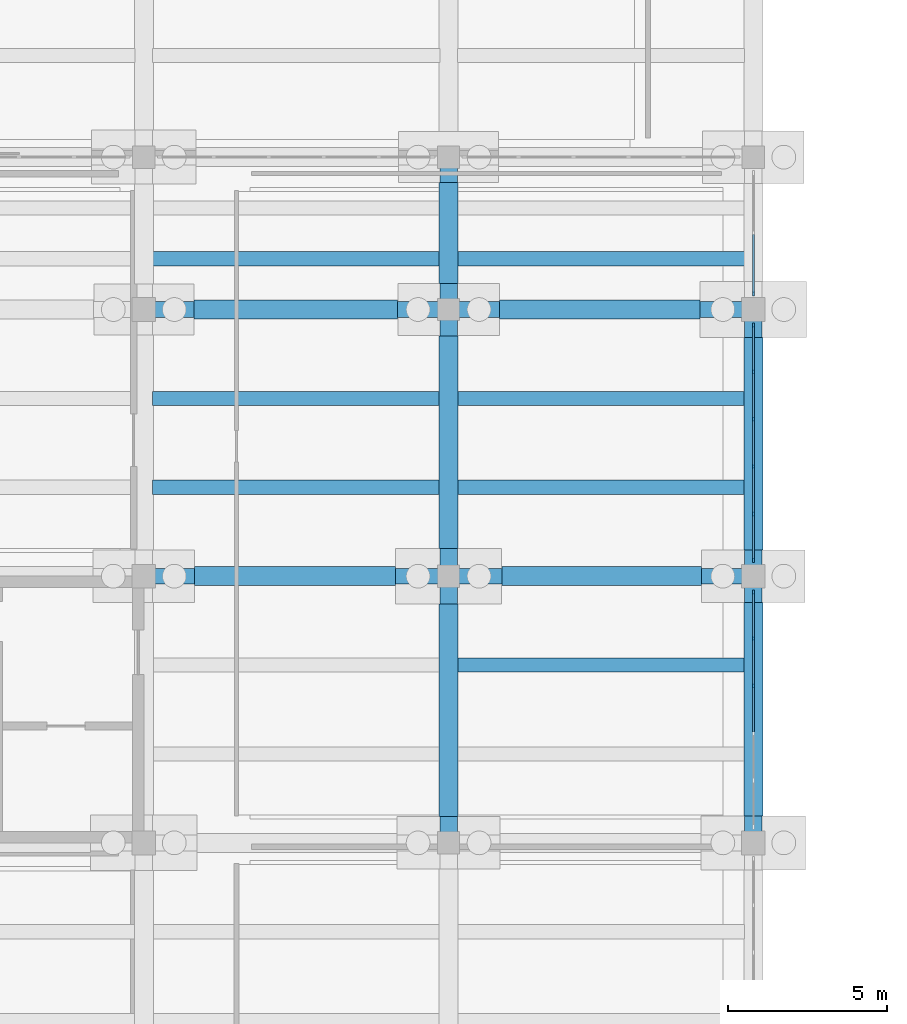
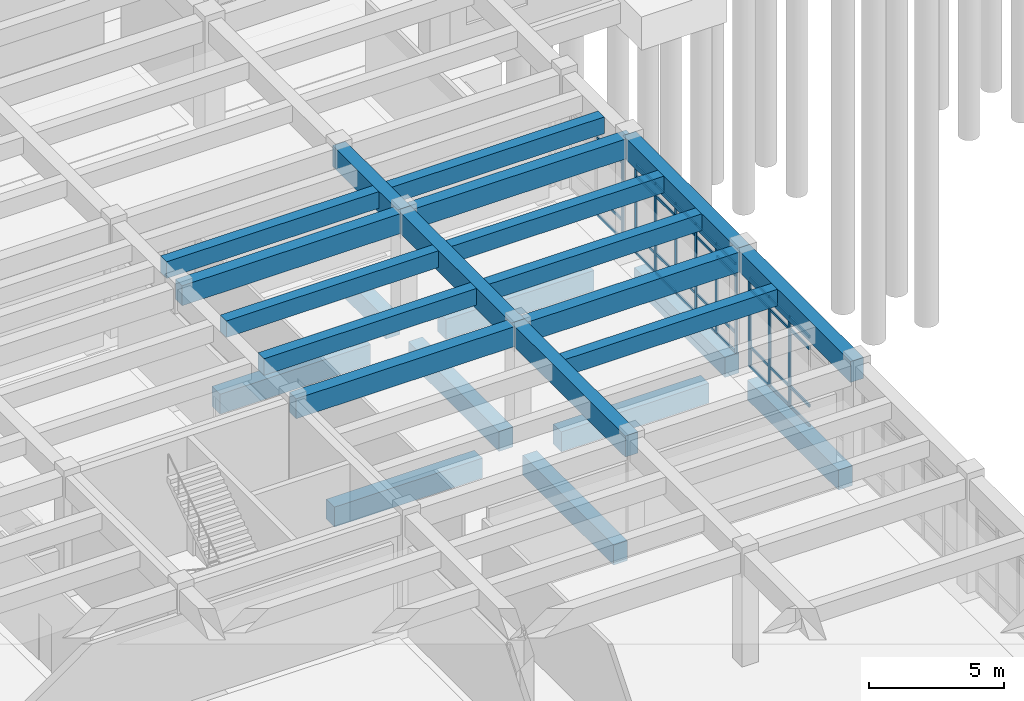
# One storey, part 31 of 102: 45 members, 25 beams, 3 elements without a shape of their own.
"""IFC4 building model written with IfcOpenShell, lengths in metres."""

from ifc_helpers import new_model, si_unit, direction, frame, origin, origin_2d, place, context, subcontext, project, spatial, rectangle, extrude, material, layer, layer_set, material_profile, profile_set, type_object, element, aggregate, save


model = new_model("IFC4")

# Units and contexts
model_context = context("Model", 3, precision=1e-05, world=origin(), true_north=direction((0.0, 1.0)))
body_context = subcontext(model_context, "Body", "Model", "MODEL_VIEW")
ifc_project = project(units=[si_unit("LENGTHUNIT", "METRE"), si_unit("AREAUNIT", "SQUARE_METRE"), si_unit("VOLUMEUNIT", "CUBIC_METRE"), si_unit("PLANEANGLEUNIT", "RADIAN"), si_unit("MASSUNIT", "GRAM", prefix="KILO")], contexts=[model_context])

# Site, building, storey
site_placement = place(None, origin())
site = spatial("IfcSite", under=ifc_project, at=site_placement, CompositionType="ELEMENT")
building_placement = place(site_placement, origin())
building = spatial("IfcBuilding", under=site, at=building_placement, Name="Kolvemor Railside Polytechnic", CompositionType="ELEMENT")
storey_placement = place(building_placement, origin())
storey = spatial("IfcBuildingStorey", under=building, at=storey_placement, Name="L00", CompositionType="ELEMENT", Elevation=0.0)

# Beams
ifc_material_1 = material(Name="Concrete C40/50", Category="concrete")
ifc_material_profile_1 = material_profile(ifc_material_1, rectangle(XDim=0.550048828125, YDim=0.949951171875, at=origin_2d()), Name="RC550x950")
ifc_profile_set_1 = profile_set([ifc_material_profile_1], Name="Concrete C40/50")
beam_type_1 = type_object("IfcBeamType", Name="BM-RC-GIRD", PredefinedType="BEAM", material=ifc_profile_set_1)
beam_1_placement = place(storey_placement, frame((38.39990234375, 60.0, 4.635009765625), z_axis=(0.0, 1.0, 0.0), x_axis=(-1.0, 0.0, 0.0)))
element("IfcBeam", 1, at=beam_1_placement, inside=storey, type_object=beam_type_1, Name="Primary Girder L01-GY 0093", PredefinedType="BEAM", context=body_context, shape_type="SweptSolid", body=[
    extrude(rectangle(XDim=0.550048828125, YDim=0.949951171875, at=origin_2d()), origin(), (0.0, 0.0, 1.0), 8.39990234375),
])
beam_2_placement = place(storey_placement, frame((38.39990234375, 68.39990234375, 4.635009765625), z_axis=(0.0, 1.0, 0.0), x_axis=(-1.0, 0.0, 0.0)))
element("IfcBeam", 2, at=beam_2_placement, inside=storey, type_object=beam_type_1, Name="Primary Girder L01-GY 0094", PredefinedType="BEAM", context=body_context, shape_type="SweptSolid", body=[
    extrude(rectangle(XDim=0.550048828125, YDim=0.949951171875, at=origin_2d()), origin(), (0.0, 0.0, 1.0), 8.400146484375),
])
beam_3_placement = place(storey_placement, frame((38.39990234375, 76.800048828125, 4.635009765625), z_axis=(0.0, 1.0, 0.0), x_axis=(-1.0, 0.0, 0.0)))
element("IfcBeam", 3, at=beam_3_placement, inside=storey, type_object=beam_type_1, Name="Primary Girder L01-GY 0095", PredefinedType="BEAM", context=body_context, shape_type="SweptSolid", body=[
    extrude(rectangle(XDim=0.550048828125, YDim=0.949951171875, at=origin_2d()), origin(), (0.0, 0.0, 1.0), 4.800048828125),
])
beam_4_placement = place(storey_placement, frame((48.0, 60.0, 4.635009765625), z_axis=(0.0, 1.0, 0.0), x_axis=(-1.0, 0.0, 0.0)))
element("IfcBeam", 4, at=beam_4_placement, inside=storey, type_object=beam_type_1, Name="Primary Girder L01-GY 0102", PredefinedType="BEAM", context=body_context, shape_type="SweptSolid", body=[
    extrude(rectangle(XDim=0.550048828125, YDim=0.949951171875, at=origin_2d()), origin(), (0.0, 0.0, 1.0), 8.39990234375),
])
beam_5_placement = place(storey_placement, frame((48.0, 68.39990234375, 4.635009765625), z_axis=(0.0, 1.0, 0.0), x_axis=(-1.0, 0.0, 0.0)))
element("IfcBeam", 5, at=beam_5_placement, inside=storey, type_object=beam_type_1, Name="Primary Girder L01-GY 0103", PredefinedType="BEAM", context=body_context, shape_type="SweptSolid", body=[
    extrude(rectangle(XDim=0.550048828125, YDim=0.949951171875, at=origin_2d()), origin(), (0.0, 0.0, 1.0), 8.400146484375),
])
ifc_material_2 = material(Name="Concrete C40/50", Category="concrete")
ifc_material_profile_2 = material_profile(ifc_material_2, rectangle(XDim=0.5, YDim=0.89990234375, at=origin_2d()), Name="RC500x900")
ifc_profile_set_2 = profile_set([ifc_material_profile_2], Name="Concrete C40/50")
beam_type_2 = type_object("IfcBeamType", Name="BM-RC-GIRD4", PredefinedType="BEAM", material=ifc_profile_set_2)
beam_6_placement = place(storey_placement, frame((28.800048828125, 68.39990234375, 4.659912109375), z_axis=(1.0, 0.0, 0.0), x_axis=(0.0, 1.0, 0.0)))
element("IfcBeam", 6, at=beam_6_placement, inside=storey, type_object=beam_type_2, Name="Primary Girder L01-GX 0039", PredefinedType="BEAM", context=body_context, shape_type="SweptSolid", body=[
    extrude(rectangle(XDim=0.5, YDim=0.89990234375, at=origin_2d()), origin(), (0.0, 0.0, 1.0), 9.599853515625),
])
beam_7_placement = place(storey_placement, frame((38.39990234375, 68.39990234375, 4.659912109375), z_axis=(1.0, 0.0, 0.0), x_axis=(0.0, 1.0, 0.0)))
element("IfcBeam", 7, at=beam_7_placement, inside=storey, type_object=beam_type_2, Name="Primary Girder L01-GX 0040", PredefinedType="BEAM", context=body_context, shape_type="SweptSolid", body=[
    extrude(rectangle(XDim=0.5, YDim=0.89990234375, at=origin_2d()), origin(), (0.0, 0.0, 1.0), 9.60009765625),
])
beam_8_placement = place(storey_placement, frame((28.800048828125, 76.800048828125, 4.659912109375), z_axis=(1.0, 0.0, 0.0), x_axis=(0.0, 1.0, 0.0)))
element("IfcBeam", 8, at=beam_8_placement, inside=storey, type_object=beam_type_2, Name="Primary Girder L01-GX 0044", PredefinedType="BEAM", context=body_context, shape_type="SweptSolid", body=[
    extrude(rectangle(XDim=0.5, YDim=0.89990234375, at=origin_2d()), origin(), (0.0, 0.0, 1.0), 9.599853515625),
])
beam_9_placement = place(storey_placement, frame((38.39990234375, 76.800048828125, 4.659912109375), z_axis=(1.0, 0.0, 0.0), x_axis=(0.0, 1.0, 0.0)))
element("IfcBeam", 9, at=beam_9_placement, inside=storey, type_object=beam_type_2, Name="Primary Girder L01-GX 0045", PredefinedType="BEAM", context=body_context, shape_type="SweptSolid", body=[
    extrude(rectangle(XDim=0.5, YDim=0.89990234375, at=origin_2d()), origin(), (0.0, 0.0, 1.0), 9.60009765625),
])
ifc_material_3 = material(Name="Concrete C40/50", Category="concrete")
ifc_material_profile_3 = material_profile(ifc_material_3, rectangle(XDim=0.449951171875, YDim=0.75, at=origin_2d()), Name="RC450x750")
ifc_profile_set_3 = profile_set([ifc_material_profile_3], Name="Concrete C40/50")
beam_type_3 = type_object("IfcBeamType", Name="BM-RC-SEC", PredefinedType="JOIST", material=ifc_profile_set_3)
for number, where, z_axis, x_axis, name in (
    (10, (29.074951171875, 71.199951171875, 4.735107421875), (1.0, 0.0, 0.0), (0.0, 1.0, 0.0), "Floor Joist L01-J0169"),
    (11, (29.074951171875, 74.0, 4.735107421875), (1.0, 0.0, 0.0), (0.0, 1.0, 0.0), "Floor Joist L01-J0170"),
    (12, (29.074951171875, 78.39990234375, 4.735107421875), (1.0, 0.0, 0.0), (0.0, 1.0, 0.0), "Floor Joist L01-J0171"),
    (13, (38.675048828125, 65.60009765625, 4.735107421875), (1.0, 0.0, 0.0), (0.0, 1.0, 0.0), "Floor Joist L01-J0186"),
    (14, (38.675048828125, 71.199951171875, 4.735107421875), (1.0, 0.0, 0.0), (0.0, 1.0, 0.0), "Floor Joist L01-J0187"),
    (15, (38.675048828125, 74.0, 4.735107421875), (1.0, 0.0, 0.0), (0.0, 1.0, 0.0), "Floor Joist L01-J0188"),
    (16, (38.675048828125, 78.39990234375, 4.735107421875), (1.0, 0.0, 0.0), (0.0, 1.0, 0.0), "Floor Joist L01-J0189"),
):
    element("IfcBeam", number, at=place(storey_placement, frame(where, z_axis=z_axis, x_axis=x_axis)), inside=storey, type_object=beam_type_3, Name=name, PredefinedType="JOIST", context=body_context, shape_type="SweptSolid", body=[
        extrude(rectangle(XDim=0.449951171875, YDim=0.75, at=origin_2d()), origin(), (0.0, 0.0, 1.0), 9.050048828125),
    ])
ifc_material_4 = material(Name="Concrete C40/50", Category="concrete")
ifc_material_profile_4 = material_profile(ifc_material_4, rectangle(XDim=0.60009765625, YDim=0.89990234375, at=origin_2d()), Name="RC600x900")
ifc_profile_set_4 = profile_set([ifc_material_profile_4], Name="Concrete C40/50")
beam_type_4 = type_object("IfcBeamType", Name="BM-RC-TIE", PredefinedType="BEAM", material=ifc_profile_set_4)
beam_10_placement = place(storey_placement, frame((30.402099609375, 68.39990234375, -0.75), z_axis=(1.0, 0.0, 0.0), x_axis=(0.0, 1.0, 0.0)))
element("IfcBeam", 17, at=beam_10_placement, inside=storey, type_object=beam_type_4, Name="Ground Tie Beam GTB-X158", PredefinedType="BEAM", context=body_context, shape_type="SweptSolid", body=[
    extrude(rectangle(XDim=0.60009765625, YDim=0.89990234375, at=origin_2d()), origin(), (0.0, 0.0, 1.0), 6.32080078125),
])
beam_11_placement = place(storey_placement, frame((40.076904296875, 68.39990234375, -0.75), z_axis=(1.0, 0.0, 0.0), x_axis=(0.0, 1.0, 0.0)))
element("IfcBeam", 18, at=beam_11_placement, inside=storey, type_object=beam_type_4, Name="Ground Tie Beam GTB-X159", PredefinedType="BEAM", context=body_context, shape_type="SweptSolid", body=[
    extrude(rectangle(XDim=0.60009765625, YDim=0.89990234375, at=origin_2d()), origin(), (0.0, 0.0, 1.0), 6.296142578125),
])
beam_12_placement = place(storey_placement, frame((30.376953125, 76.800048828125, -0.75), z_axis=(1.0, 0.0, 0.0), x_axis=(0.0, 1.0, 0.0)))
element("IfcBeam", 19, at=beam_12_placement, inside=storey, type_object=beam_type_4, Name="Ground Tie Beam GTB-X168", PredefinedType="BEAM", context=body_context, shape_type="SweptSolid", body=[
    extrude(rectangle(XDim=0.60009765625, YDim=0.89990234375, at=origin_2d()), origin(), (0.0, 0.0, 1.0), 6.421142578125),
])
beam_13_placement = place(storey_placement, frame((40.001953125, 76.800048828125, -0.75), z_axis=(1.0, 0.0, 0.0), x_axis=(0.0, 1.0, 0.0)))
element("IfcBeam", 20, at=beam_13_placement, inside=storey, type_object=beam_type_4, Name="Ground Tie Beam GTB-X169", PredefinedType="BEAM", context=body_context, shape_type="SweptSolid", body=[
    extrude(rectangle(XDim=0.60009765625, YDim=0.89990234375, at=origin_2d()), origin(), (0.0, 0.0, 1.0), 6.321044921875),
])
beam_14_placement = place(storey_placement, frame((38.39990234375, 60.826904296875, -0.75), z_axis=(0.0, 1.0, 0.0), x_axis=(-1.0, 0.0, 0.0)))
element("IfcBeam", 21, at=beam_14_placement, inside=storey, type_object=beam_type_4, Name="Ground Tie Beam GTB-Y281", PredefinedType="BEAM", context=body_context, shape_type="SweptSolid", body=[
    extrude(rectangle(XDim=0.60009765625, YDim=0.89990234375, at=origin_2d()), origin(), (0.0, 0.0, 1.0), 6.696044921875),
])
beam_15_placement = place(storey_placement, frame((38.39990234375, 69.277099609375, -0.75), z_axis=(0.0, 1.0, 0.0), x_axis=(-1.0, 0.0, 0.0)))
element("IfcBeam", 22, at=beam_15_placement, inside=storey, type_object=beam_type_4, Name="Ground Tie Beam GTB-Y282", PredefinedType="BEAM", context=body_context, shape_type="SweptSolid", body=[
    extrude(rectangle(XDim=0.60009765625, YDim=0.89990234375, at=origin_2d()), origin(), (0.0, 0.0, 1.0), 6.69580078125),
])
beam_16_placement = place(storey_placement, frame((38.39990234375, 77.626953125, -0.75), z_axis=(0.0, 1.0, 0.0), x_axis=(-1.0, 0.0, 0.0)))
element("IfcBeam", 23, at=beam_16_placement, inside=storey, type_object=beam_type_4, Name="Ground Tie Beam GTB-Y283", PredefinedType="BEAM", context=body_context, shape_type="SweptSolid", body=[
    extrude(rectangle(XDim=0.60009765625, YDim=0.89990234375, at=origin_2d()), origin(), (0.0, 0.0, 1.0), 3.171142578125),
])
beam_17_placement = place(storey_placement, frame((48.0, 60.85205078125, -0.75), z_axis=(0.0, 1.0, 0.0), x_axis=(-1.0, 0.0, 0.0)))
element("IfcBeam", 24, at=beam_17_placement, inside=storey, type_object=beam_type_4, Name="Ground Tie Beam GTB-Y294", PredefinedType="BEAM", context=body_context, shape_type="SweptSolid", body=[
    extrude(rectangle(XDim=0.60009765625, YDim=0.89990234375, at=origin_2d()), origin(), (0.0, 0.0, 1.0), 6.720947265625),
])
beam_18_placement = place(storey_placement, frame((48.0, 69.22705078125, -0.75), z_axis=(0.0, 1.0, 0.0), x_axis=(-1.0, 0.0, 0.0)))
element("IfcBeam", 25, at=beam_18_placement, inside=storey, type_object=beam_type_4, Name="Ground Tie Beam GTB-Y295", PredefinedType="BEAM", context=body_context, shape_type="SweptSolid", body=[
    extrude(rectangle(XDim=0.60009765625, YDim=0.89990234375, at=origin_2d()), origin(), (0.0, 0.0, 1.0), 6.696044921875),
])

# Curtain wall, members
ifc_material_5 = material(Name="Anodised marine aluminium and laminated low-E glass", Category="aluminium")
ifc_layer = layer(ifc_material_5, 0.179931640625, Name="CW-UNIT-STD")
ifc_layer_set = layer_set([ifc_layer], Name="Anodised marine aluminium and laminated low-E glass")
curtain_wall_type = type_object("IfcCurtainWallType", Name="CW-UNIT-STD", PredefinedType="USERDEFINED", material=ifc_layer_set)
curtain_wall_1_placement = place(storey_placement, origin())
curtain_wall_1 = element("IfcCurtainWall", 26, at=curtain_wall_1_placement, inside=storey, type_object=curtain_wall_type, Name="Curtain Wall L00-075", ObjectType="UNITISED CURTAIN WALL", PredefinedType="USERDEFINED")
ifc_material_6 = material(Name="Anodised marine aluminium 6063-T6", Category="aluminium")
ifc_material_profile_5 = material_profile(ifc_material_6, rectangle(XDim=0.06494140625, YDim=0.14990234375, at=origin_2d()), Name="CW-MUL-65x150")
ifc_profile_set_5 = profile_set([ifc_material_profile_5], Name="Anodised marine aluminium 6063-T6")
member_type_1 = type_object("IfcMemberType", Name="CWM-65x150", PredefinedType="MULLION", material=ifc_profile_set_5)
member_1_placement = place(storey_placement, frame((48.0, 64.946044921875, 0.0), z_axis=(0.0, 0.0, 1.0), x_axis=(-1.0, 0.0, 0.0)))
member_1 = element("IfcMember", 27, at=member_1_placement, type_object=member_type_1, Name="CW-STD mullion 4", PredefinedType="MULLION", context=body_context, shape_type="SweptSolid", body=[
    extrude(rectangle(XDim=0.06494140625, YDim=0.14990234375, at=origin_2d()), origin(), (0.0, 0.0, 1.0), 4.0400390625),
])
member_2_placement = place(storey_placement, frame((48.0, 66.43798828125, 0.0), z_axis=(0.0, 0.0, 1.0), x_axis=(-1.0, 0.0, 0.0)))
member_2 = element("IfcMember", 28, at=member_2_placement, type_object=member_type_1, Name="CW-STD mullion 5", PredefinedType="MULLION", context=body_context, shape_type="SweptSolid", body=[
    extrude(rectangle(XDim=0.06494140625, YDim=0.14990234375, at=origin_2d()), origin(), (0.0, 0.0, 1.0), 4.0400390625),
])
member_3_placement = place(storey_placement, frame((48.0, 67.8974609375, 0.0), z_axis=(0.0, 0.0, 1.0), x_axis=(-1.0, 0.0, 0.0)))
member_3 = element("IfcMember", 29, at=member_3_placement, type_object=member_type_1, Name="CW-STD mullion 6", PredefinedType="MULLION", context=body_context, shape_type="SweptSolid", body=[
    extrude(rectangle(XDim=0.06494140625, YDim=0.14990234375, at=origin_2d()), origin(), (0.0, 0.0, 1.0), 4.0400390625),
])

curtain_wall_2_placement = place(storey_placement, origin())
curtain_wall_2 = element("IfcCurtainWall", 30, at=curtain_wall_2_placement, inside=storey, type_object=curtain_wall_type, Name="Curtain Wall L00-082", ObjectType="UNITISED CURTAIN WALL", PredefinedType="USERDEFINED")
member_4_placement = place(storey_placement, frame((48.0, 68.902587890625, 0.0), z_axis=(0.0, 0.0, 1.0), x_axis=(-1.0, 0.0, 0.0)))
member_4 = element("IfcMember", 31, at=member_4_placement, type_object=member_type_1, Name="CW-STD mullion 1", PredefinedType="MULLION", context=body_context, shape_type="SweptSolid", body=[
    extrude(rectangle(XDim=0.06494140625, YDim=0.14990234375, at=origin_2d()), origin(), (0.0, 0.0, 1.0), 4.0400390625),
])
member_5_placement = place(storey_placement, frame((48.0, 70.362060546875, 0.0), z_axis=(0.0, 0.0, 1.0), x_axis=(-1.0, 0.0, 0.0)))
member_5 = element("IfcMember", 32, at=member_5_placement, type_object=member_type_1, Name="CW-STD mullion 2", PredefinedType="MULLION", context=body_context, shape_type="SweptSolid", body=[
    extrude(rectangle(XDim=0.06494140625, YDim=0.14990234375, at=origin_2d()), origin(), (0.0, 0.0, 1.0), 4.0400390625),
])
member_6_placement = place(storey_placement, frame((48.0, 71.85400390625, 0.0), z_axis=(0.0, 0.0, 1.0), x_axis=(-1.0, 0.0, 0.0)))
member_6 = element("IfcMember", 33, at=member_6_placement, type_object=member_type_1, Name="CW-STD mullion 3", PredefinedType="MULLION", context=body_context, shape_type="SweptSolid", body=[
    extrude(rectangle(XDim=0.06494140625, YDim=0.14990234375, at=origin_2d()), origin(), (0.0, 0.0, 1.0), 4.0400390625),
])
member_7_placement = place(storey_placement, frame((48.0, 73.345947265625, 0.0), z_axis=(0.0, 0.0, 1.0), x_axis=(-1.0, 0.0, 0.0)))
member_7 = element("IfcMember", 34, at=member_7_placement, type_object=member_type_1, Name="CW-STD mullion 4", PredefinedType="MULLION", context=body_context, shape_type="SweptSolid", body=[
    extrude(rectangle(XDim=0.06494140625, YDim=0.14990234375, at=origin_2d()), origin(), (0.0, 0.0, 1.0), 4.0400390625),
])
member_8_placement = place(storey_placement, frame((48.0, 74.837890625, 0.0), z_axis=(0.0, 0.0, 1.0), x_axis=(-1.0, 0.0, 0.0)))
member_8 = element("IfcMember", 35, at=member_8_placement, type_object=member_type_1, Name="CW-STD mullion 5", PredefinedType="MULLION", context=body_context, shape_type="SweptSolid", body=[
    extrude(rectangle(XDim=0.06494140625, YDim=0.14990234375, at=origin_2d()), origin(), (0.0, 0.0, 1.0), 4.0400390625),
])
member_9_placement = place(storey_placement, frame((48.0, 76.297607421875, 0.0), z_axis=(0.0, 0.0, 1.0), x_axis=(-1.0, 0.0, 0.0)))
member_9 = element("IfcMember", 36, at=member_9_placement, type_object=member_type_1, Name="CW-STD mullion 6", PredefinedType="MULLION", context=body_context, shape_type="SweptSolid", body=[
    extrude(rectangle(XDim=0.06494140625, YDim=0.14990234375, at=origin_2d()), origin(), (0.0, 0.0, 1.0), 4.0400390625),
])

# Curtain wall, member
curtain_wall_3_placement = place(storey_placement, origin())
curtain_wall_3 = element("IfcCurtainWall", 37, at=curtain_wall_3_placement, inside=storey, type_object=curtain_wall_type, Name="Curtain Wall L00-089", ObjectType="UNITISED CURTAIN WALL", PredefinedType="USERDEFINED")
member_10_placement = place(storey_placement, frame((48.0, 77.302490234375, 0.0), z_axis=(0.0, 0.0, 1.0), x_axis=(-1.0, 0.0, 0.0)))
member_10 = element("IfcMember", 38, at=member_10_placement, type_object=member_type_1, Name="CW-STD mullion 1", PredefinedType="MULLION", context=body_context, shape_type="SweptSolid", body=[
    extrude(rectangle(XDim=0.06494140625, YDim=0.14990234375, at=origin_2d()), origin(), (0.0, 0.0, 1.0), 4.0400390625),
])

# Member
ifc_material_7 = material(Name="Anodised marine aluminium 6063-T6", Category="aluminium")
ifc_material_profile_6 = material_profile(ifc_material_7, rectangle(XDim=0.06494140625, YDim=0.1201171875, at=origin_2d()), Name="CW-TRN-65x120")
ifc_profile_set_6 = profile_set([ifc_material_profile_6], Name="Anodised marine aluminium 6063-T6")
member_type_2 = type_object("IfcMemberType", Name="CWT-65x120", PredefinedType="USERDEFINED", material=ifc_profile_set_6)
member_11_placement = place(storey_placement, frame((48.0, 63.486572265625, 0.032470703125), z_axis=(0.0, 1.0, 0.0), x_axis=(-1.0, 0.0, 0.0)))
member_11 = element("IfcMember", 39, at=member_11_placement, type_object=member_type_2, Name="CW-STD transom 3.1", ObjectType="TRANSOM", PredefinedType="USERDEFINED", context=body_context, shape_type="SweptSolid", body=[
    extrude(rectangle(XDim=0.06494140625, YDim=0.1201171875, at=origin_2d()), origin(), (0.0, 0.0, 1.0), 1.427001953125),
])

member_12_placement = place(storey_placement, frame((48.0, 63.486572265625, 0.89990234375), z_axis=(0.0, 1.0, 0.0), x_axis=(-1.0, 0.0, 0.0)))
member_12 = element("IfcMember", 40, at=member_12_placement, type_object=member_type_2, Name="CW-STD transom 3.2", ObjectType="TRANSOM", PredefinedType="USERDEFINED", context=body_context, shape_type="SweptSolid", body=[
    extrude(rectangle(XDim=0.06494140625, YDim=0.1201171875, at=origin_2d()), origin(), (0.0, 0.0, 1.0), 1.427001953125),
])

member_13_placement = place(storey_placement, frame((48.0, 63.486572265625, 3.489990234375), z_axis=(0.0, 1.0, 0.0), x_axis=(-1.0, 0.0, 0.0)))
member_13 = element("IfcMember", 41, at=member_13_placement, type_object=member_type_2, Name="CW-STD transom 3.3", ObjectType="TRANSOM", PredefinedType="USERDEFINED", context=body_context, shape_type="SweptSolid", body=[
    extrude(rectangle(XDim=0.06494140625, YDim=0.1201171875, at=origin_2d()), origin(), (0.0, 0.0, 1.0), 1.427001953125),
])

member_14_placement = place(storey_placement, frame((48.0, 63.486572265625, 4.007568359375), z_axis=(0.0, 1.0, 0.0), x_axis=(-1.0, 0.0, 0.0)))
member_14 = element("IfcMember", 42, at=member_14_placement, type_object=member_type_2, Name="CW-STD transom 3.4", ObjectType="TRANSOM", PredefinedType="USERDEFINED", context=body_context, shape_type="SweptSolid", body=[
    extrude(rectangle(XDim=0.06494140625, YDim=0.1201171875, at=origin_2d()), origin(), (0.0, 0.0, 1.0), 1.427001953125),
])

member_15_placement = place(storey_placement, frame((48.0, 64.978515625, 0.032470703125), z_axis=(0.0, 1.0, 0.0), x_axis=(-1.0, 0.0, 0.0)))
member_15 = element("IfcMember", 43, at=member_15_placement, type_object=member_type_2, Name="CW-STD transom 4.1", ObjectType="TRANSOM", PredefinedType="USERDEFINED", context=body_context, shape_type="SweptSolid", body=[
    extrude(rectangle(XDim=0.06494140625, YDim=0.1201171875, at=origin_2d()), origin(), (0.0, 0.0, 1.0), 1.427001953125),
])

member_16_placement = place(storey_placement, frame((48.0, 64.978515625, 0.89990234375), z_axis=(0.0, 1.0, 0.0), x_axis=(-1.0, 0.0, 0.0)))
member_16 = element("IfcMember", 44, at=member_16_placement, type_object=member_type_2, Name="CW-STD transom 4.2", ObjectType="TRANSOM", PredefinedType="USERDEFINED", context=body_context, shape_type="SweptSolid", body=[
    extrude(rectangle(XDim=0.06494140625, YDim=0.1201171875, at=origin_2d()), origin(), (0.0, 0.0, 1.0), 1.427001953125),
])

member_17_placement = place(storey_placement, frame((48.0, 64.978515625, 3.489990234375), z_axis=(0.0, 1.0, 0.0), x_axis=(-1.0, 0.0, 0.0)))
member_17 = element("IfcMember", 45, at=member_17_placement, type_object=member_type_2, Name="CW-STD transom 4.3", ObjectType="TRANSOM", PredefinedType="USERDEFINED", context=body_context, shape_type="SweptSolid", body=[
    extrude(rectangle(XDim=0.06494140625, YDim=0.1201171875, at=origin_2d()), origin(), (0.0, 0.0, 1.0), 1.427001953125),
])

member_18_placement = place(storey_placement, frame((48.0, 64.978515625, 4.007568359375), z_axis=(0.0, 1.0, 0.0), x_axis=(-1.0, 0.0, 0.0)))
member_18 = element("IfcMember", 46, at=member_18_placement, type_object=member_type_2, Name="CW-STD transom 4.4", ObjectType="TRANSOM", PredefinedType="USERDEFINED", context=body_context, shape_type="SweptSolid", body=[
    extrude(rectangle(XDim=0.06494140625, YDim=0.1201171875, at=origin_2d()), origin(), (0.0, 0.0, 1.0), 1.427001953125),
])

member_19_placement = place(storey_placement, frame((48.0, 66.470458984375, 0.032470703125), z_axis=(0.0, 1.0, 0.0), x_axis=(-1.0, 0.0, 0.0)))
member_19 = element("IfcMember", 47, at=member_19_placement, type_object=member_type_2, Name="CW-STD transom 5.1", ObjectType="TRANSOM", PredefinedType="USERDEFINED", context=body_context, shape_type="SweptSolid", body=[
    extrude(rectangle(XDim=0.06494140625, YDim=0.1201171875, at=origin_2d()), origin(), (0.0, 0.0, 1.0), 1.39453125),
])

member_20_placement = place(storey_placement, frame((48.0, 66.470458984375, 0.89990234375), z_axis=(0.0, 1.0, 0.0), x_axis=(-1.0, 0.0, 0.0)))
member_20 = element("IfcMember", 48, at=member_20_placement, type_object=member_type_2, Name="CW-STD transom 5.2", ObjectType="TRANSOM", PredefinedType="USERDEFINED", context=body_context, shape_type="SweptSolid", body=[
    extrude(rectangle(XDim=0.06494140625, YDim=0.1201171875, at=origin_2d()), origin(), (0.0, 0.0, 1.0), 1.39453125),
])

member_21_placement = place(storey_placement, frame((48.0, 66.470458984375, 3.489990234375), z_axis=(0.0, 1.0, 0.0), x_axis=(-1.0, 0.0, 0.0)))
member_21 = element("IfcMember", 49, at=member_21_placement, type_object=member_type_2, Name="CW-STD transom 5.3", ObjectType="TRANSOM", PredefinedType="USERDEFINED", context=body_context, shape_type="SweptSolid", body=[
    extrude(rectangle(XDim=0.06494140625, YDim=0.1201171875, at=origin_2d()), origin(), (0.0, 0.0, 1.0), 1.39453125),
])

member_22_placement = place(storey_placement, frame((48.0, 66.470458984375, 4.007568359375), z_axis=(0.0, 1.0, 0.0), x_axis=(-1.0, 0.0, 0.0)))
member_22 = element("IfcMember", 50, at=member_22_placement, type_object=member_type_2, Name="CW-STD transom 5.4", ObjectType="TRANSOM", PredefinedType="USERDEFINED", context=body_context, shape_type="SweptSolid", body=[
    extrude(rectangle(XDim=0.06494140625, YDim=0.1201171875, at=origin_2d()), origin(), (0.0, 0.0, 1.0), 1.39453125),
])

aggregate(curtain_wall_1, [member_1, member_2, member_3, member_11, member_12, member_13, member_14, member_15, member_16, member_17, member_18, member_19, member_20, member_21, member_22])

member_23_placement = place(storey_placement, frame((48.0, 68.93505859375, 0.032470703125), z_axis=(0.0, 1.0, 0.0), x_axis=(-1.0, 0.0, 0.0)))
member_23 = element("IfcMember", 51, at=member_23_placement, type_object=member_type_2, Name="CW-STD transom 1.1", ObjectType="TRANSOM", PredefinedType="USERDEFINED", context=body_context, shape_type="SweptSolid", body=[
    extrude(rectangle(XDim=0.06494140625, YDim=0.1201171875, at=origin_2d()), origin(), (0.0, 0.0, 1.0), 1.39453125),
])

member_24_placement = place(storey_placement, frame((48.0, 68.93505859375, 0.89990234375), z_axis=(0.0, 1.0, 0.0), x_axis=(-1.0, 0.0, 0.0)))
member_24 = element("IfcMember", 52, at=member_24_placement, type_object=member_type_2, Name="CW-STD transom 1.2", ObjectType="TRANSOM", PredefinedType="USERDEFINED", context=body_context, shape_type="SweptSolid", body=[
    extrude(rectangle(XDim=0.06494140625, YDim=0.1201171875, at=origin_2d()), origin(), (0.0, 0.0, 1.0), 1.39453125),
])

member_25_placement = place(storey_placement, frame((48.0, 68.93505859375, 3.489990234375), z_axis=(0.0, 1.0, 0.0), x_axis=(-1.0, 0.0, 0.0)))
member_25 = element("IfcMember", 53, at=member_25_placement, type_object=member_type_2, Name="CW-STD transom 1.3", ObjectType="TRANSOM", PredefinedType="USERDEFINED", context=body_context, shape_type="SweptSolid", body=[
    extrude(rectangle(XDim=0.06494140625, YDim=0.1201171875, at=origin_2d()), origin(), (0.0, 0.0, 1.0), 1.39453125),
])

member_26_placement = place(storey_placement, frame((48.0, 68.93505859375, 4.007568359375), z_axis=(0.0, 1.0, 0.0), x_axis=(-1.0, 0.0, 0.0)))
member_26 = element("IfcMember", 54, at=member_26_placement, type_object=member_type_2, Name="CW-STD transom 1.4", ObjectType="TRANSOM", PredefinedType="USERDEFINED", context=body_context, shape_type="SweptSolid", body=[
    extrude(rectangle(XDim=0.06494140625, YDim=0.1201171875, at=origin_2d()), origin(), (0.0, 0.0, 1.0), 1.39453125),
])

member_27_placement = place(storey_placement, frame((48.0, 70.39453125, 0.032470703125), z_axis=(0.0, 1.0, 0.0), x_axis=(-1.0, 0.0, 0.0)))
member_27 = element("IfcMember", 55, at=member_27_placement, type_object=member_type_2, Name="CW-STD transom 2.1", ObjectType="TRANSOM", PredefinedType="USERDEFINED", context=body_context, shape_type="SweptSolid", body=[
    extrude(rectangle(XDim=0.06494140625, YDim=0.1201171875, at=origin_2d()), origin(), (0.0, 0.0, 1.0), 1.427001953125),
])

member_28_placement = place(storey_placement, frame((48.0, 70.39453125, 0.89990234375), z_axis=(0.0, 1.0, 0.0), x_axis=(-1.0, 0.0, 0.0)))
member_28 = element("IfcMember", 56, at=member_28_placement, type_object=member_type_2, Name="CW-STD transom 2.2", ObjectType="TRANSOM", PredefinedType="USERDEFINED", context=body_context, shape_type="SweptSolid", body=[
    extrude(rectangle(XDim=0.06494140625, YDim=0.1201171875, at=origin_2d()), origin(), (0.0, 0.0, 1.0), 1.427001953125),
])

member_29_placement = place(storey_placement, frame((48.0, 70.39453125, 3.489990234375), z_axis=(0.0, 1.0, 0.0), x_axis=(-1.0, 0.0, 0.0)))
member_29 = element("IfcMember", 57, at=member_29_placement, type_object=member_type_2, Name="CW-STD transom 2.3", ObjectType="TRANSOM", PredefinedType="USERDEFINED", context=body_context, shape_type="SweptSolid", body=[
    extrude(rectangle(XDim=0.06494140625, YDim=0.1201171875, at=origin_2d()), origin(), (0.0, 0.0, 1.0), 1.427001953125),
])

member_30_placement = place(storey_placement, frame((48.0, 70.39453125, 4.007568359375), z_axis=(0.0, 1.0, 0.0), x_axis=(-1.0, 0.0, 0.0)))
member_30 = element("IfcMember", 58, at=member_30_placement, type_object=member_type_2, Name="CW-STD transom 2.4", ObjectType="TRANSOM", PredefinedType="USERDEFINED", context=body_context, shape_type="SweptSolid", body=[
    extrude(rectangle(XDim=0.06494140625, YDim=0.1201171875, at=origin_2d()), origin(), (0.0, 0.0, 1.0), 1.427001953125),
])

member_31_placement = place(storey_placement, frame((48.0, 71.886474609375, 0.032470703125), z_axis=(0.0, 1.0, 0.0), x_axis=(-1.0, 0.0, 0.0)))
member_31 = element("IfcMember", 59, at=member_31_placement, type_object=member_type_2, Name="CW-STD transom 3.1", ObjectType="TRANSOM", PredefinedType="USERDEFINED", context=body_context, shape_type="SweptSolid", body=[
    extrude(rectangle(XDim=0.06494140625, YDim=0.1201171875, at=origin_2d()), origin(), (0.0, 0.0, 1.0), 1.427001953125),
])

member_32_placement = place(storey_placement, frame((48.0, 71.886474609375, 0.89990234375), z_axis=(0.0, 1.0, 0.0), x_axis=(-1.0, 0.0, 0.0)))
member_32 = element("IfcMember", 60, at=member_32_placement, type_object=member_type_2, Name="CW-STD transom 3.2", ObjectType="TRANSOM", PredefinedType="USERDEFINED", context=body_context, shape_type="SweptSolid", body=[
    extrude(rectangle(XDim=0.06494140625, YDim=0.1201171875, at=origin_2d()), origin(), (0.0, 0.0, 1.0), 1.427001953125),
])

member_33_placement = place(storey_placement, frame((48.0, 71.886474609375, 3.489990234375), z_axis=(0.0, 1.0, 0.0), x_axis=(-1.0, 0.0, 0.0)))
member_33 = element("IfcMember", 61, at=member_33_placement, type_object=member_type_2, Name="CW-STD transom 3.3", ObjectType="TRANSOM", PredefinedType="USERDEFINED", context=body_context, shape_type="SweptSolid", body=[
    extrude(rectangle(XDim=0.06494140625, YDim=0.1201171875, at=origin_2d()), origin(), (0.0, 0.0, 1.0), 1.427001953125),
])

member_34_placement = place(storey_placement, frame((48.0, 71.886474609375, 4.007568359375), z_axis=(0.0, 1.0, 0.0), x_axis=(-1.0, 0.0, 0.0)))
member_34 = element("IfcMember", 62, at=member_34_placement, type_object=member_type_2, Name="CW-STD transom 3.4", ObjectType="TRANSOM", PredefinedType="USERDEFINED", context=body_context, shape_type="SweptSolid", body=[
    extrude(rectangle(XDim=0.06494140625, YDim=0.1201171875, at=origin_2d()), origin(), (0.0, 0.0, 1.0), 1.427001953125),
])

member_35_placement = place(storey_placement, frame((48.0, 73.37841796875, 0.032470703125), z_axis=(0.0, 1.0, 0.0), x_axis=(-1.0, 0.0, 0.0)))
member_35 = element("IfcMember", 63, at=member_35_placement, type_object=member_type_2, Name="CW-STD transom 4.1", ObjectType="TRANSOM", PredefinedType="USERDEFINED", context=body_context, shape_type="SweptSolid", body=[
    extrude(rectangle(XDim=0.06494140625, YDim=0.1201171875, at=origin_2d()), origin(), (0.0, 0.0, 1.0), 1.427001953125),
])

member_36_placement = place(storey_placement, frame((48.0, 73.37841796875, 0.89990234375), z_axis=(0.0, 1.0, 0.0), x_axis=(-1.0, 0.0, 0.0)))
member_36 = element("IfcMember", 64, at=member_36_placement, type_object=member_type_2, Name="CW-STD transom 4.2", ObjectType="TRANSOM", PredefinedType="USERDEFINED", context=body_context, shape_type="SweptSolid", body=[
    extrude(rectangle(XDim=0.06494140625, YDim=0.1201171875, at=origin_2d()), origin(), (0.0, 0.0, 1.0), 1.427001953125),
])

member_37_placement = place(storey_placement, frame((48.0, 73.37841796875, 3.489990234375), z_axis=(0.0, 1.0, 0.0), x_axis=(-1.0, 0.0, 0.0)))
member_37 = element("IfcMember", 65, at=member_37_placement, type_object=member_type_2, Name="CW-STD transom 4.3", ObjectType="TRANSOM", PredefinedType="USERDEFINED", context=body_context, shape_type="SweptSolid", body=[
    extrude(rectangle(XDim=0.06494140625, YDim=0.1201171875, at=origin_2d()), origin(), (0.0, 0.0, 1.0), 1.427001953125),
])

member_38_placement = place(storey_placement, frame((48.0, 73.37841796875, 4.007568359375), z_axis=(0.0, 1.0, 0.0), x_axis=(-1.0, 0.0, 0.0)))
member_38 = element("IfcMember", 66, at=member_38_placement, type_object=member_type_2, Name="CW-STD transom 4.4", ObjectType="TRANSOM", PredefinedType="USERDEFINED", context=body_context, shape_type="SweptSolid", body=[
    extrude(rectangle(XDim=0.06494140625, YDim=0.1201171875, at=origin_2d()), origin(), (0.0, 0.0, 1.0), 1.427001953125),
])

member_39_placement = place(storey_placement, frame((48.0, 74.87060546875, 0.032470703125), z_axis=(0.0, 1.0, 0.0), x_axis=(-1.0, 0.0, 0.0)))
member_39 = element("IfcMember", 67, at=member_39_placement, type_object=member_type_2, Name="CW-STD transom 5.1", ObjectType="TRANSOM", PredefinedType="USERDEFINED", context=body_context, shape_type="SweptSolid", body=[
    extrude(rectangle(XDim=0.06494140625, YDim=0.1201171875, at=origin_2d()), origin(), (0.0, 0.0, 1.0), 1.394287109375),
])

member_40_placement = place(storey_placement, frame((48.0, 74.87060546875, 0.89990234375), z_axis=(0.0, 1.0, 0.0), x_axis=(-1.0, 0.0, 0.0)))
member_40 = element("IfcMember", 68, at=member_40_placement, type_object=member_type_2, Name="CW-STD transom 5.2", ObjectType="TRANSOM", PredefinedType="USERDEFINED", context=body_context, shape_type="SweptSolid", body=[
    extrude(rectangle(XDim=0.06494140625, YDim=0.1201171875, at=origin_2d()), origin(), (0.0, 0.0, 1.0), 1.394287109375),
])

member_41_placement = place(storey_placement, frame((48.0, 74.87060546875, 3.489990234375), z_axis=(0.0, 1.0, 0.0), x_axis=(-1.0, 0.0, 0.0)))
member_41 = element("IfcMember", 69, at=member_41_placement, type_object=member_type_2, Name="CW-STD transom 5.3", ObjectType="TRANSOM", PredefinedType="USERDEFINED", context=body_context, shape_type="SweptSolid", body=[
    extrude(rectangle(XDim=0.06494140625, YDim=0.1201171875, at=origin_2d()), origin(), (0.0, 0.0, 1.0), 1.394287109375),
])

member_42_placement = place(storey_placement, frame((48.0, 74.87060546875, 4.007568359375), z_axis=(0.0, 1.0, 0.0), x_axis=(-1.0, 0.0, 0.0)))
member_42 = element("IfcMember", 70, at=member_42_placement, type_object=member_type_2, Name="CW-STD transom 5.4", ObjectType="TRANSOM", PredefinedType="USERDEFINED", context=body_context, shape_type="SweptSolid", body=[
    extrude(rectangle(XDim=0.06494140625, YDim=0.1201171875, at=origin_2d()), origin(), (0.0, 0.0, 1.0), 1.394287109375),
])

aggregate(curtain_wall_2, [member_4, member_5, member_6, member_7, member_8, member_9, member_23, member_24, member_25, member_26, member_27, member_28, member_29, member_30, member_31, member_32, member_33, member_34, member_35, member_36, member_37, member_38, member_39, member_40, member_41, member_42])

member_43_placement = place(storey_placement, frame((48.0, 77.3349609375, 0.032470703125), z_axis=(0.0, 1.0, 0.0), x_axis=(-1.0, 0.0, 0.0)))
member_43 = element("IfcMember", 71, at=member_43_placement, type_object=member_type_2, Name="CW-STD transom 1.1", ObjectType="TRANSOM", PredefinedType="USERDEFINED", context=body_context, shape_type="SweptSolid", body=[
    extrude(rectangle(XDim=0.06494140625, YDim=0.1201171875, at=origin_2d()), origin(), (0.0, 0.0, 1.0), 1.83251953125),
])

member_44_placement = place(storey_placement, frame((48.0, 77.3349609375, 0.89990234375), z_axis=(0.0, 1.0, 0.0), x_axis=(-1.0, 0.0, 0.0)))
member_44 = element("IfcMember", 72, at=member_44_placement, type_object=member_type_2, Name="CW-STD transom 1.2", ObjectType="TRANSOM", PredefinedType="USERDEFINED", context=body_context, shape_type="SweptSolid", body=[
    extrude(rectangle(XDim=0.06494140625, YDim=0.1201171875, at=origin_2d()), origin(), (0.0, 0.0, 1.0), 1.83251953125),
])

member_45_placement = place(storey_placement, frame((48.0, 77.3349609375, 3.489990234375), z_axis=(0.0, 1.0, 0.0), x_axis=(-1.0, 0.0, 0.0)))
member_45 = element("IfcMember", 73, at=member_45_placement, type_object=member_type_2, Name="CW-STD transom 1.3", ObjectType="TRANSOM", PredefinedType="USERDEFINED", context=body_context, shape_type="SweptSolid", body=[
    extrude(rectangle(XDim=0.06494140625, YDim=0.1201171875, at=origin_2d()), origin(), (0.0, 0.0, 1.0), 1.83251953125),
])

aggregate(curtain_wall_3, [member_10, member_43, member_44, member_45])

save(model, "model.ifc")
